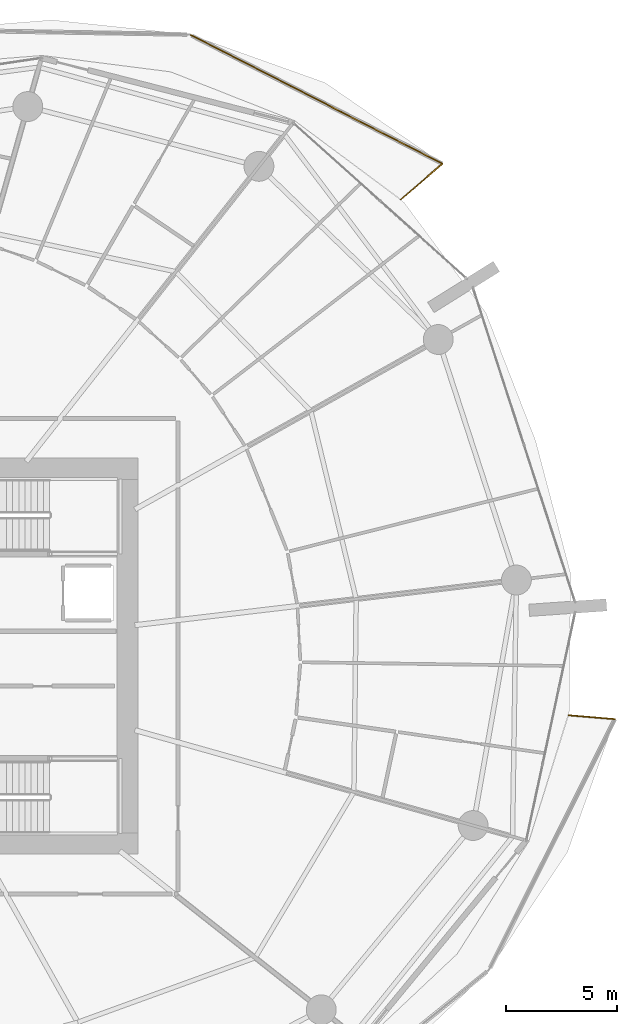
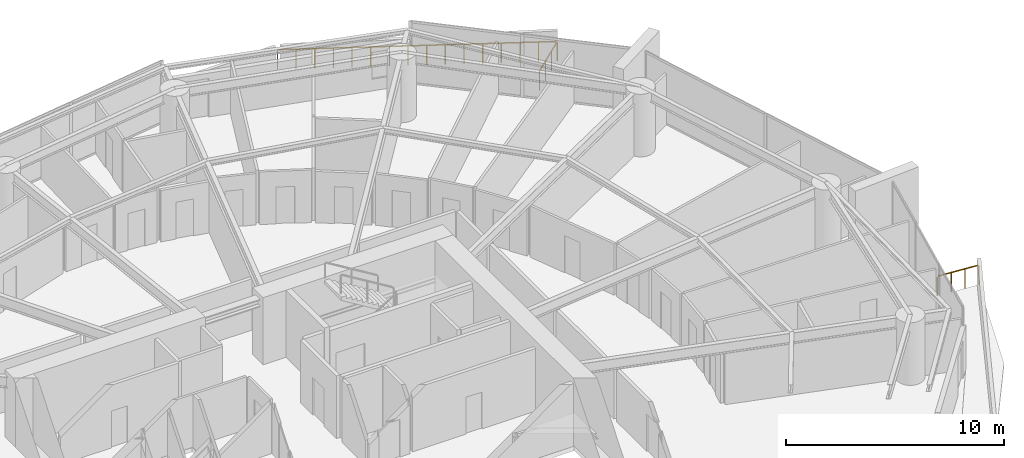
# One storey, part 31 of 31: 3 railings.
"""IFC4 building model written with IfcOpenShell, lengths in metres."""

from ifc_helpers import new_model, si_unit, direction, frame, origin, origin_2d, place, context, subcontext, project, spatial, rectangle, extrude, material, type_object, element, save


model = new_model("IFC4")

# Units and contexts
model_context = context("Model", 3, precision=1e-05, world=origin(), true_north=direction((0.0, 1.0)))
body_context = subcontext(model_context, "Body", "Model", "MODEL_VIEW")
ifc_project = project(units=[si_unit("LENGTHUNIT", "METRE"), si_unit("AREAUNIT", "SQUARE_METRE"), si_unit("VOLUMEUNIT", "CUBIC_METRE"), si_unit("PLANEANGLEUNIT", "RADIAN"), si_unit("MASSUNIT", "GRAM", prefix="KILO")], contexts=[model_context])

# Site, building, storey
site_placement = place(None, origin())
site = spatial("IfcSite", under=ifc_project, at=site_placement, CompositionType="ELEMENT")
building_placement = place(site_placement, origin())
building = spatial("IfcBuilding", under=site, at=building_placement, Name="Kazma Halo Residences", CompositionType="ELEMENT")
storey_placement = place(building_placement, frame((0.0, 0.0, 48.89990234375)))
storey = spatial("IfcBuildingStorey", under=building, at=storey_placement, Name="L11", CompositionType="ELEMENT", Elevation=48.89990234375)

# Railings
ifc_material = material(Name="Aluminium AW-6063 T6 Brushed Cap Rail", Category="aluminium")
railing_type = type_object("IfcRailingType", Name="RLG-BAL-CAP-1120", PredefinedType="BALUSTRADE", material=ifc_material)
railing_1_placement = place(storey_placement, frame((71.875732421875, 62.645263671875, 0.0)))
element("IfcRailing", 1, at=railing_1_placement, inside=storey, type_object=railing_type, Name="L11 NE wave balcony guard 1", PredefinedType="BALUSTRADE", context=body_context, shape_type="SweptSolid", body=[
    extrude(rectangle(XDim=0.050048828125, YDim=0.050048828125, at=origin_2d()), frame((0.0322265625, 0.02783203125, 1.09521484375), z_axis=(0.756389471098, 0.654121523887, 0.0), x_axis=(-0.654121523887, 0.756389471098, 0.0)), (0.0, 0.0, 1.0), 2.397705078125),
    extrude(rectangle(XDim=0.0400390625, YDim=0.0400390625, at=origin_2d()), origin(), (0.0, 0.0, 1.0), 1.05810546875),
    extrude(rectangle(XDim=0.0400390625, YDim=0.0400390625, at=origin_2d()), frame((0.6259765625, 0.541259765625, 0.0)), (0.0, 0.0, 1.0), 1.05810546875),
    extrude(rectangle(XDim=0.0400390625, YDim=0.0400390625, at=origin_2d()), frame((1.251953125, 1.082763671875, 0.0)), (0.0, 0.0, 1.0), 1.05810546875),
    extrude(rectangle(XDim=0.0400390625, YDim=0.0400390625, at=origin_2d()), frame((1.8779296875, 1.6240234375, 0.0)), (0.0, 0.0, 1.0), 1.05810546875),
])
railing_2_placement = place(storey_placement, frame((73.753662109375, 64.269287109375, 0.0)))
element("IfcRailing", 2, at=railing_2_placement, inside=storey, type_object=railing_type, Name="L11 NE wave balcony guard 2", PredefinedType="BALUSTRADE", context=body_context, shape_type="SweptSolid", body=[
    extrude(rectangle(XDim=0.050048828125, YDim=0.050048828125, at=origin_2d()), frame((-0.037841796875, 0.019287109375, 1.09521484375), z_axis=(-0.890397512329, 0.455183776114, 0.0), x_axis=(-0.455183776114, -0.890397512329, 0.0)), (0.0, 0.0, 1.0), 12.75146484375),
    extrude(rectangle(XDim=0.0400390625, YDim=0.0400390625, at=origin_2d()), origin(), (0.0, 0.0, 1.0), 1.05810546875),
    extrude(rectangle(XDim=0.0400390625, YDim=0.0400390625, at=origin_2d()), frame((-0.761962890625, 0.3896484375, 0.0)), (0.0, 0.0, 1.0), 1.05810546875),
    extrude(rectangle(XDim=0.0400390625, YDim=0.0400390625, at=origin_2d()), frame((-1.52392578125, 0.779052734375, 0.0)), (0.0, 0.0, 1.0), 1.05810546875),
    extrude(rectangle(XDim=0.0400390625, YDim=0.0400390625, at=origin_2d()), frame((-2.285888671875, 1.168701171875, 0.0)), (0.0, 0.0, 1.0), 1.05810546875),
    extrude(rectangle(XDim=0.0400390625, YDim=0.0400390625, at=origin_2d()), frame((-3.0478515625, 1.55810546875, 0.0)), (0.0, 0.0, 1.0), 1.05810546875),
    extrude(rectangle(XDim=0.0400390625, YDim=0.0400390625, at=origin_2d()), frame((-3.809814453125, 1.94775390625, 0.0)), (0.0, 0.0, 1.0), 1.05810546875),
    extrude(rectangle(XDim=0.0400390625, YDim=0.0400390625, at=origin_2d()), frame((-4.57177734375, 2.337158203125, 0.0)), (0.0, 0.0, 1.0), 1.05810546875),
    extrude(rectangle(XDim=0.0400390625, YDim=0.0400390625, at=origin_2d()), frame((-5.333740234375, 2.726806640625, 0.0)), (0.0, 0.0, 1.0), 1.05810546875),
    extrude(rectangle(XDim=0.0400390625, YDim=0.0400390625, at=origin_2d()), frame((-6.095947265625, 3.1162109375, 0.0)), (0.0, 0.0, 1.0), 1.05810546875),
    extrude(rectangle(XDim=0.0400390625, YDim=0.0400390625, at=origin_2d()), frame((-6.85791015625, 3.505859375, 0.0)), (0.0, 0.0, 1.0), 1.05810546875),
    extrude(rectangle(XDim=0.0400390625, YDim=0.0400390625, at=origin_2d()), frame((-7.619873046875, 3.895263671875, 0.0)), (0.0, 0.0, 1.0), 1.05810546875),
    extrude(rectangle(XDim=0.0400390625, YDim=0.0400390625, at=origin_2d()), frame((-8.3818359375, 4.284912109375, 0.0)), (0.0, 0.0, 1.0), 1.05810546875),
    extrude(rectangle(XDim=0.0400390625, YDim=0.0400390625, at=origin_2d()), frame((-9.143798828125, 4.67431640625, 0.0)), (0.0, 0.0, 1.0), 1.05810546875),
    extrude(rectangle(XDim=0.0400390625, YDim=0.0400390625, at=origin_2d()), frame((-9.90576171875, 5.06396484375, 0.0)), (0.0, 0.0, 1.0), 1.05810546875),
    extrude(rectangle(XDim=0.0400390625, YDim=0.0400390625, at=origin_2d()), frame((-10.667724609375, 5.453369140625, 0.0)), (0.0, 0.0, 1.0), 1.05810546875),
    extrude(rectangle(XDim=0.0400390625, YDim=0.0400390625, at=origin_2d()), frame((-11.4296875, 5.843017578125, 0.0)), (0.0, 0.0, 1.0), 1.05810546875),
])
railing_3_placement = place(storey_placement, frame((81.555419921875, 39.15283203125, 0.0)))
element("IfcRailing", 3, at=railing_3_placement, inside=storey, type_object=railing_type, Name="L11 SE wave balcony guard 4", PredefinedType="BALUSTRADE", context=body_context, shape_type="SweptSolid", body=[
    extrude(rectangle(XDim=0.050048828125, YDim=0.050048828125, at=origin_2d()), frame((-0.04248046875, 0.003662109375, 1.09521484375), z_axis=(-0.996424347806, 0.084489757365, 0.0), x_axis=(-0.084489757365, -0.996424347806, 0.0)), (0.0, 0.0, 1.0), 2.027099609375),
    extrude(rectangle(XDim=0.0400390625, YDim=0.0400390625, at=origin_2d()), origin(), (0.0, 0.0, 1.0), 1.05810546875),
    extrude(rectangle(XDim=0.0400390625, YDim=0.0400390625, at=origin_2d()), frame((-0.70166015625, 0.0595703125, 0.0)), (0.0, 0.0, 1.0), 1.05810546875),
    extrude(rectangle(XDim=0.0400390625, YDim=0.0400390625, at=origin_2d()), frame((-1.403076171875, 0.118896484375, 0.0)), (0.0, 0.0, 1.0), 1.05810546875),
    extrude(rectangle(XDim=0.0400390625, YDim=0.0400390625, at=origin_2d()), frame((-2.104736328125, 0.178466796875, 0.0)), (0.0, 0.0, 1.0), 1.05810546875),
])

save(model, "model.ifc")
